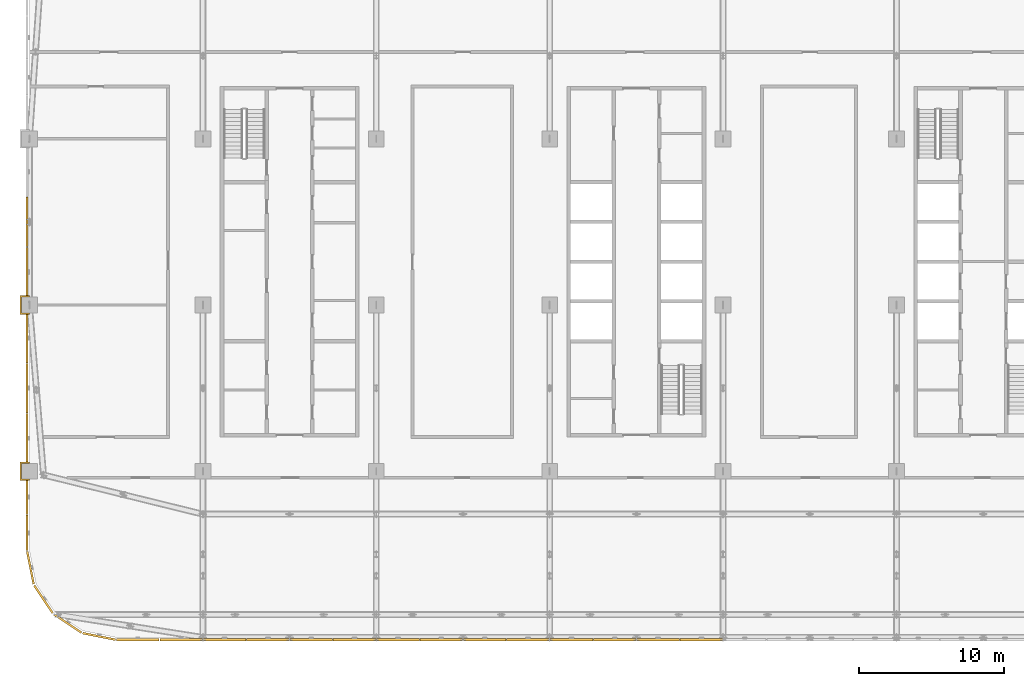
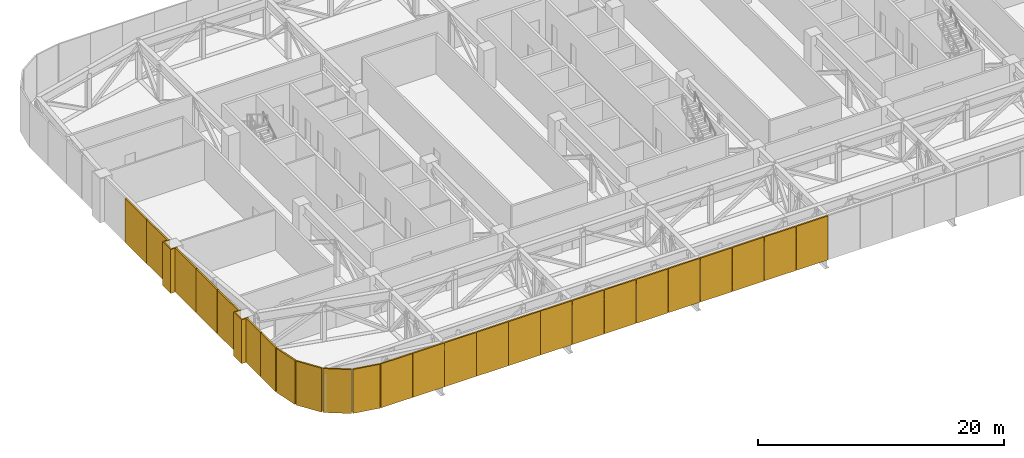
# One storey, part 23 of 28: 27 coverings.
"""IFC4 building model written with IfcOpenShell, lengths in metres."""

from ifc_helpers import new_model, si_unit, direction, frame, origin, origin_2d, place, context, subcontext, project, spatial, polyline, rectangle, outline, extrude, material, layer, layer_set, type_object, element, save


model = new_model("IFC4")

# Units and contexts
model_context = context("Model", 3, precision=1e-05, world=origin(), true_north=direction((0.0, 1.0)))
body_context = subcontext(model_context, "Body", "Model", "MODEL_VIEW")
ifc_project = project(units=[si_unit("LENGTHUNIT", "METRE"), si_unit("AREAUNIT", "SQUARE_METRE"), si_unit("VOLUMEUNIT", "CUBIC_METRE"), si_unit("PLANEANGLEUNIT", "RADIAN"), si_unit("MASSUNIT", "GRAM", prefix="KILO")], contexts=[model_context])

# Site, building, storey
site_placement = place(None, origin())
site = spatial("IfcSite", under=ifc_project, at=site_placement, CompositionType="ELEMENT")
building_placement = place(site_placement, origin())
building = spatial("IfcBuilding", under=site, at=building_placement, Name="Mahtab Terrace Research Tower", CompositionType="ELEMENT")
storey_placement = place(building_placement, frame((0.0, 0.0, 224.300048828125)))
storey = spatial("IfcBuildingStorey", under=building, at=storey_placement, Name="L54", CompositionType="ELEMENT", Elevation=224.300048828125)

# Coverings
ifc_material_1 = material(Name="Dark anodised aluminium cladding", Category="aluminium")
ifc_layer = layer(ifc_material_1, 0.10009765625)
ifc_layer_set = layer_set([ifc_layer], Name="Column casing 100")
covering_type_1 = type_object("IfcCoveringType", Name="Column casing 100", PredefinedType="CLADDING", material=ifc_layer_set)
covering_1_placement = place(storey_placement, frame((0.0, 0.0, -0.400146484375)))
element("IfcCovering", 1, at=covering_1_placement, inside=storey, type_object=covering_type_1, Name="Column casing RC-1A L54", PredefinedType="CLADDING", context=body_context, shape_type="SweptSolid", body=[
    extrude(outline(polyline([(-42.64990234375, -10.85009765625), (-42.0, -10.85009765625), (-42.0, -10.949951171875), (-42.550048828125, -10.949951171875), (-42.550048828125, -12.050048828125), (-42.0, -12.050048828125), (-42.0, -12.14990234375), (-42.64990234375, -12.14990234375), (-42.64990234375, -10.85009765625)])), origin(), (0.0, 0.0, 1.0), 4.360107421875),
])
covering_2_placement = place(storey_placement, frame((0.0, 0.0, -0.400146484375)))
element("IfcCovering", 2, at=covering_2_placement, inside=storey, type_object=covering_type_1, Name="Column casing RC-1B L54", PredefinedType="CLADDING", context=body_context, shape_type="SweptSolid", body=[
    extrude(outline(polyline([(-42.64990234375, 0.64990234375), (-42.0, 0.64990234375), (-42.0, 0.550048828125), (-42.550048828125, 0.550048828125), (-42.550048828125, -0.550048828125), (-42.0, -0.550048828125), (-42.0, -0.64990234375), (-42.64990234375, -0.64990234375), (-42.64990234375, 0.64990234375)])), origin(), (0.0, 0.0, 1.0), 4.360107421875),
])
ifc_material_2 = material(Name="Natural anodised aluminium", Category="aluminium")
covering_type_2 = type_object("IfcCoveringType", Name="Plant storey louvre bay", PredefinedType="CLADDING", material=ifc_material_2)
for number, where, z_axis, x_axis, name in (
    (3, (-42.159912109375, 5.75, -0.39990234375), (0.0, 0.0, 1.0), (0.0, -1.0, 0.0), "Louvre bay L54 44"),
    (4, (-42.159912109375, 2.283447265625, -0.39990234375), (0.0, 0.0, 1.0), (0.0, -1.0, 0.0), "Louvre bay L54 45"),
    (5, (-42.159912109375, -2.283447265625, -0.39990234375), (0.0, 0.0, 1.0), (0.0, -1.0, 0.0), "Louvre bay L54 46"),
    (6, (-42.159912109375, -5.75, -0.39990234375), (0.0, 0.0, 1.0), (0.0, -1.0, 0.0), "Louvre bay L54 47"),
    (7, (-42.159912109375, -9.216552734375, -0.39990234375), (0.0, 0.0, 1.0), (0.0, -1.0, 0.0), "Louvre bay L54 48"),
):
    element("IfcCovering", number, at=place(storey_placement, frame(where, z_axis=z_axis, x_axis=x_axis)), inside=storey, type_object=covering_type_2, Name=name, PredefinedType="CLADDING", context=body_context, shape_type="SweptSolid", body=[
        extrude(rectangle(XDim=3.4267578125, YDim=0.139892578125, at=origin_2d()), origin(), (0.0, 0.0, 1.0), 4.360107421875),
    ])
for number, where, z_axis, x_axis, name in (
    (8, (-42.159912109375, -13.28759765625, -0.39990234375), (0.0, 0.0, 1.0), (0.0, -1.0, 0.0), "Louvre bay L54 49"),
    (9, (-42.159912109375, -15.762451171875, -0.39990234375), (0.0, 0.0, 1.0), (0.0, -1.0, 0.0), "Louvre bay L54 50"),
):
    element("IfcCovering", number, at=place(storey_placement, frame(where, z_axis=z_axis, x_axis=x_axis)), inside=storey, type_object=covering_type_2, Name=name, PredefinedType="CLADDING", context=body_context, shape_type="SweptSolid", body=[
        extrude(rectangle(XDim=2.43505859375, YDim=0.139892578125, at=origin_2d()), origin(), (0.0, 0.0, 1.0), 4.360107421875),
    ])
for number, where, z_axis, x_axis, name in (
    (10, (-41.928466796875, -18.17919921875, -0.39990234375), (0.0, 0.0, 1.0), (0.195212442692, -0.980760981187, 0.0), "Louvre bay L54 51"),
    (11, (-41.026123046875, -20.3583984375, -0.39990234375), (0.0, 0.0, 1.0), (0.555291490808, -0.831655794326, 0.0), "Louvre bay L54 52"),
    (12, (-39.3583984375, -22.026123046875, -0.39990234375), (0.0, 0.0, 1.0), (0.831655794326, -0.555291490808, 0.0), "Louvre bay L54 53"),
    (13, (-37.17919921875, -22.928466796875, -0.39990234375), (0.0, 0.0, 1.0), (0.980760981187, -0.195212442692, 0.0), "Louvre bay L54 54"),
):
    element("IfcCovering", number, at=place(storey_placement, frame(where, z_axis=z_axis, x_axis=x_axis)), inside=storey, type_object=covering_type_2, Name=name, PredefinedType="CLADDING", context=body_context, shape_type="SweptSolid", body=[
        extrude(rectangle(XDim=2.301025390625, YDim=0.139892578125, at=origin_2d()), origin(), (0.0, 0.0, 1.0), 4.360107421875),
    ])
for number, where, z_axis, x_axis, name in (
    (14, (-34.5, -23.159912109375, -0.39990234375), (0.0, 0.0, 1.0), (1.0, 0.0, 0.0), "Louvre bay L54 55"),
    (15, (-31.5, -23.159912109375, -0.39990234375), (0.0, 0.0, 1.0), (1.0, 0.0, 0.0), "Louvre bay L54 56"),
    (16, (-28.5, -23.159912109375, -0.39990234375), (0.0, 0.0, 1.0), (1.0, 0.0, 0.0), "Louvre bay L54 57"),
    (17, (-25.5, -23.159912109375, -0.39990234375), (0.0, 0.0, 1.0), (1.0, 0.0, 0.0), "Louvre bay L54 58"),
    (18, (-22.5, -23.159912109375, -0.39990234375), (0.0, 0.0, 1.0), (1.0, 0.0, 0.0), "Louvre bay L54 59"),
    (19, (-19.5, -23.159912109375, -0.39990234375), (0.0, 0.0, 1.0), (1.0, 0.0, 0.0), "Louvre bay L54 60"),
    (20, (-16.5, -23.159912109375, -0.39990234375), (0.0, 0.0, 1.0), (1.0, 0.0, 0.0), "Louvre bay L54 61"),
    (21, (-13.5, -23.159912109375, -0.39990234375), (0.0, 0.0, 1.0), (1.0, 0.0, 0.0), "Louvre bay L54 62"),
    (22, (-10.5, -23.159912109375, -0.39990234375), (0.0, 0.0, 1.0), (1.0, 0.0, 0.0), "Louvre bay L54 63"),
    (23, (-7.5, -23.159912109375, -0.39990234375), (0.0, 0.0, 1.0), (1.0, 0.0, 0.0), "Louvre bay L54 64"),
    (24, (-4.5, -23.159912109375, -0.39990234375), (0.0, 0.0, 1.0), (1.0, 0.0, 0.0), "Louvre bay L54 65"),
    (25, (-1.5, -23.159912109375, -0.39990234375), (0.0, 0.0, 1.0), (1.0, 0.0, 0.0), "Louvre bay L54 66"),
    (26, (1.5, -23.159912109375, -0.39990234375), (0.0, 0.0, 1.0), (1.0, 0.0, 0.0), "Louvre bay L54 67"),
    (27, (4.5, -23.159912109375, -0.39990234375), (0.0, 0.0, 1.0), (1.0, 0.0, 0.0), "Louvre bay L54 68"),
):
    element("IfcCovering", number, at=place(storey_placement, frame(where, z_axis=z_axis, x_axis=x_axis)), inside=storey, type_object=covering_type_2, Name=name, PredefinedType="CLADDING", context=body_context, shape_type="SweptSolid", body=[
        extrude(rectangle(XDim=2.9599609375, YDim=0.139892578125, at=origin_2d()), origin(), (0.0, 0.0, 1.0), 4.360107421875),
    ])

save(model, "model.ifc")
